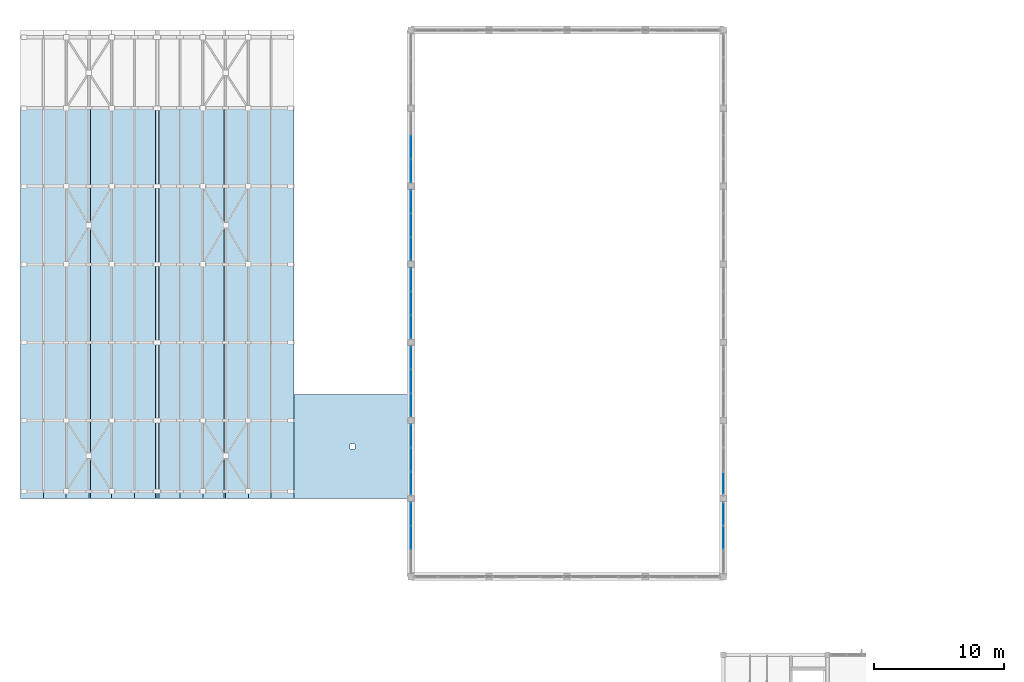
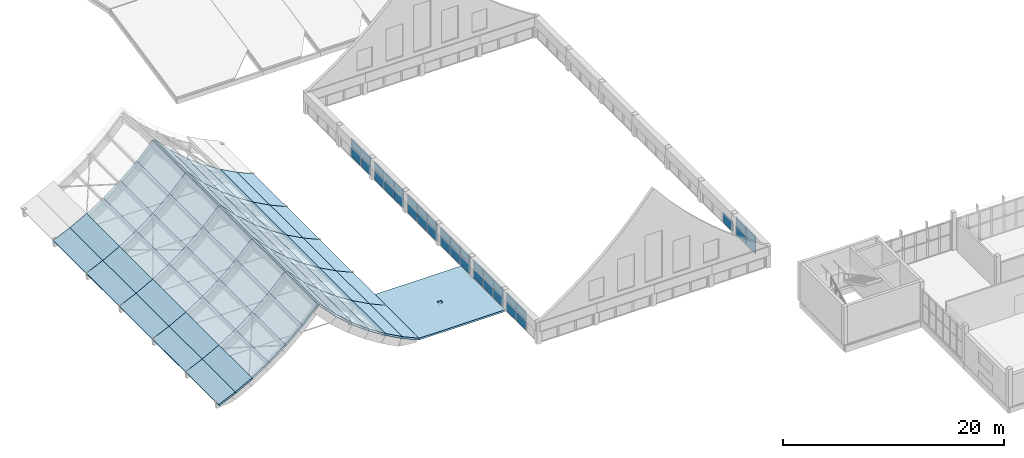
# One storey, part 25 of 45: 61 slabs, 37 plates, 8 elements without a shape of their own.
"""IFC4 building model written with IfcOpenShell, lengths in metres."""

import ifcopenshell
import ifcopenshell.guid

model = None  # the IFC model being written
_history = None  # IfcOwnerHistory: only IFC2X3 demands one
_inside = {}  # id of a spatial element -> (the spatial element, [elements in it])
_under = {}  # id of a project, library or spatial element -> (it, [spatial elements below it])
_declared = {}  # id of a project -> (the project, [libraries it declares])
_typed = {}  # id of a type object -> (the type object, [elements of that type])
_made_of = {}  # id of a material, layer set ... -> (it, [elements and type objects made of it])


def new_model(schema):
    """Start an empty IFC model of exactly this schema.

    Asked for "IFC4X3", IfcOpenShell would pick the latest addendum, in which some entities
    have other attributes; the version numbers below select the first issue.
    IFC2X3 requires an IfcOwnerHistory on every rooted entity: one is made here for all.
    """
    global model, _history
    if schema == "IFC4X3":
        model = ifcopenshell.file(schema_version=(4, 3, 0, 0))
    else:
        model = ifcopenshell.file(schema=schema)
    _inside.clear()
    _under.clear()
    _declared.clear()
    _typed.clear()
    _made_of.clear()
    _history = None
    if model.schema == "IFC2X3":
        org = make("IfcOrganization", Name="unknown")
        user = make(
            "IfcPersonAndOrganization",
            ThePerson=make("IfcPerson", FamilyName="unknown"),
            TheOrganization=org,
        )
        app = make(
            "IfcApplication",
            ApplicationDeveloper=org,
            Version="unknown",
            ApplicationFullName="unknown",
            ApplicationIdentifier="unknown",
        )
        _history = make(
            "IfcOwnerHistory",
            OwningUser=user,
            OwningApplication=app,
            ChangeAction="ADDED",
            CreationDate=0,
        )
    return model


def make(cls, **values):
    """One entity of the class cls with the attributes given. An attribute that is None is left unset."""
    return model.create_entity(
        cls, **{name: value for name, value in values.items() if value is not None}
    )


def rooted(cls, **values):
    """An entity with a GlobalId (a new one), such as an element, a storey or a relation."""
    return make(cls, GlobalId=ifcopenshell.guid.new(), OwnerHistory=_history, **values)


def si_unit(unit_type, name, prefix=None):
    """IfcSIUnit, for example si_unit("LENGTHUNIT", "METRE", prefix="MILLI")."""
    return make("IfcSIUnit", UnitType=unit_type, Prefix=prefix, Name=name)


def assignment(units):
    """IfcUnitAssignment: the units of a project."""
    return None if units is None else make("IfcUnitAssignment", Units=units)


def point(xyz):
    """IfcCartesianPoint."""
    return None if xyz is None else make("IfcCartesianPoint", Coordinates=xyz)


def direction(xyz):
    """IfcDirection."""
    return None if xyz is None else make("IfcDirection", DirectionRatios=xyz)


def frame(location, z_axis=None, x_axis=None):
    """IfcAxis2Placement3D, a coordinate frame: its origin and axes. An axis left out is left unset."""
    return make(
        "IfcAxis2Placement3D",
        Location=point(location),
        Axis=direction(z_axis),
        RefDirection=direction(x_axis),
    )


def frame_2d(location, x_axis=None):
    """IfcAxis2Placement2D, a coordinate frame in the plane: its origin and x axis."""
    return make(
        "IfcAxis2Placement2D", Location=point(location), RefDirection=direction(x_axis)
    )


def origin():
    """The frame at (0, 0, 0) with its axes left unset."""
    return frame((0.0, 0.0, 0.0))


def origin_2d():
    """The frame at (0, 0) in the plane with its x axis left unset."""
    return frame_2d((0.0, 0.0))


def place(relative_to, where):
    """IfcLocalPlacement: puts the frame where relative to a parent placement (None: the world)."""
    return make(
        "IfcLocalPlacement", PlacementRelTo=relative_to, RelativePlacement=where
    )


def context(
    kind, dimensions, precision=None, world=None, true_north=None, identifier=None
):
    """IfcGeometricRepresentationContext, for example the 3D "Model" context."""
    return make(
        "IfcGeometricRepresentationContext",
        ContextIdentifier=identifier,
        ContextType=kind,
        CoordinateSpaceDimension=dimensions,
        Precision=precision,
        WorldCoordinateSystem=world,
        TrueNorth=true_north,
    )


def subcontext(parent, identifier, kind, view, scale=None):
    """IfcGeometricRepresentationSubContext, for example "Body" below "Model"."""
    return make(
        "IfcGeometricRepresentationSubContext",
        ContextIdentifier=identifier,
        ContextType=kind,
        ParentContext=parent,
        TargetScale=scale,
        TargetView=view,
    )


def project(units=None, contexts=None):
    """IfcProject with its units and contexts."""
    return rooted(
        "IfcProject",
        Name="project",
        RepresentationContexts=contexts,
        UnitsInContext=assignment(units),
    )


def spatial(cls, under=None, at=None, **own):
    """A site, building, storey or space (cls), placed at a placement, below another one or the project."""
    s = rooted(cls, ObjectPlacement=at, **own)
    if under is not None:
        _under.setdefault(under.id(), (under, []))[1].append(s)
    return s


def polyline(points):
    """IfcPolyline through the points."""
    return make("IfcPolyline", Points=[point(p) for p in points])


def profile(cls, at=None, kind="AREA", **sizes):
    """A parametric profile (cls). Its sizes go by their IFC names, for example OverallWidth=200.0."""
    return make(cls, ProfileType=kind, Position=at, **sizes)


def rectangle(**sizes):
    """IfcRectangleProfileDef."""
    return profile("IfcRectangleProfileDef", **sizes)


def outline(outer, holes=None, kind="AREA"):
    """IfcArbitraryClosedProfileDef: a profile drawn as a closed curve; with holes, ...WithVoids."""
    if holes is None:
        return make("IfcArbitraryClosedProfileDef", ProfileType=kind, OuterCurve=outer)
    return make(
        "IfcArbitraryProfileDefWithVoids",
        ProfileType=kind,
        OuterCurve=outer,
        InnerCurves=holes,
    )


def extrude(swept, where, along, depth):
    """IfcExtrudedAreaSolid: the profile swept, set in the frame where, extruded along a direction by depth."""
    return make(
        "IfcExtrudedAreaSolid",
        SweptArea=swept,
        Position=where,
        ExtrudedDirection=direction(along),
        Depth=depth,
    )


def shape(context_of_items, identifier, shape_type, items):
    """IfcShapeRepresentation: the items that make up one representation, for example the "Body"."""
    return make(
        "IfcShapeRepresentation",
        ContextOfItems=context_of_items,
        RepresentationIdentifier=identifier,
        RepresentationType=shape_type,
        Items=items,
    )


def material(Name=None, Category=None):
    """IfcMaterial."""
    return make("IfcMaterial", Name=Name, Category=Category)


def layer(
    of_material, thickness, ventilated=None, Name=None, Category=None, Priority=None
):
    """IfcMaterialLayer: one layer of a wall or slab, of a material (None: an air gap)."""
    return make(
        "IfcMaterialLayer",
        Material=of_material,
        LayerThickness=thickness,
        IsVentilated=ventilated,
        Name=Name,
        Category=Category,
        Priority=Priority,
    )


def layer_set(layers, Name=None):
    """IfcMaterialLayerSet."""
    return make("IfcMaterialLayerSet", MaterialLayers=layers, LayerSetName=Name)


def made_of(thing, what):
    """Note that an element or type object is made of a material, layer set ...; save() writes the relation."""
    if what is not None:
        _made_of.setdefault(what.id(), (what, []))[1].append(thing)
    return thing


def type_object(cls, material=None, **own):
    """A type object (cls), such as IfcWallType, which elements share."""
    return made_of(rooted(cls, **own), material)


def element(
    cls,
    number,
    at=None,
    inside=None,
    cuts=None,
    type_object=None,
    material=None,
    context=None,
    identifier="Body",
    shape_type=None,
    held_by="IfcProductDefinitionShape",
    body=None,
    shapes=None,
    **own,
):
    """One element of the class cls, such as IfcWall. Its Tag is "e" and its number.

    at: its placement. inside: the storey or other place that contains it. cuts: it is an
    opening in that element (IfcRelVoidsElement). A single representation is given by context,
    identifier, shape_type and body (its items); several are given by shapes. held_by: the class
    of the entity that holds the representations. save() writes the other relations.
    """
    e = rooted(cls, Tag="e%d" % number, ObjectPlacement=at, **own)
    if body is not None:
        shapes = [shape(context, identifier, shape_type, body)]
    if shapes is not None:
        e.Representation = make(held_by, Representations=shapes)
    if inside is not None:
        _inside.setdefault(inside.id(), (inside, []))[1].append(e)
    if cuts is not None:
        rooted(
            "IfcRelVoidsElement", RelatingBuildingElement=cuts, RelatedOpeningElement=e
        )
    if type_object is not None:
        _typed.setdefault(type_object.id(), (type_object, []))[1].append(e)
    return made_of(e, material)


def aggregate(whole, parts):
    """IfcRelAggregates: a whole, such as a stair, and the parts it consists of."""
    return rooted("IfcRelAggregates", RelatingObject=whole, RelatedObjects=parts)


def save(model, path):
    """Write the relations noted so far, then the file.

    IfcRelAggregates (storeys below a building ...), IfcRelContainedInSpatialStructure (elements
    in a storey), IfcRelDefinesByType, IfcRelAssociatesMaterial and IfcRelDeclares: one each for
    every whole, place, type object, material and project.
    """
    for whole, parts in _under.values():
        aggregate(whole, parts)
    for where, things in _inside.values():
        rooted(
            "IfcRelContainedInSpatialStructure",
            RelatedElements=things,
            RelatingStructure=where,
        )
    for kind, things in _typed.values():
        rooted("IfcRelDefinesByType", RelatedObjects=things, RelatingType=kind)
    for what, things in _made_of.values():
        rooted("IfcRelAssociatesMaterial", RelatedObjects=things, RelatingMaterial=what)
    for by, libraries in _declared.values():
        rooted("IfcRelDeclares", RelatingContext=by, RelatedDefinitions=libraries)
    model.write(path)


model = new_model("IFC4")

# Units and contexts
model_context = context("Model", 3, precision=1e-05, world=origin(), true_north=direction((0.0, 1.0)))
body_context = subcontext(model_context, "Body", "Model", "MODEL_VIEW")
ifc_project = project(units=[si_unit("LENGTHUNIT", "METRE"), si_unit("AREAUNIT", "SQUARE_METRE"), si_unit("VOLUMEUNIT", "CUBIC_METRE"), si_unit("PLANEANGLEUNIT", "RADIAN"), si_unit("MASSUNIT", "GRAM", prefix="KILO")], contexts=[model_context])

# Site, building, storey
site_placement = place(None, origin())
site = spatial("IfcSite", under=ifc_project, at=site_placement, CompositionType="ELEMENT")
building_placement = place(site_placement, origin())
building = spatial("IfcBuilding", under=site, at=building_placement, Name="Solvane Community Centre", CompositionType="ELEMENT")
storey_placement = place(building_placement, frame((0.0, 0.0, 13.800048828125)))
storey = spatial("IfcBuildingStorey", under=building, at=storey_placement, Name="L03", CompositionType="ELEMENT", Elevation=13.800048828125)

# Slab
ifc_material_1 = material(Name="Concrete C35/45", Category="concrete")
ifc_layer_1 = layer(ifc_material_1, 0.219970703125)
ifc_layer_set_1 = layer_set([ifc_layer_1], Name="Concrete C35/45")
slab_type_1 = type_object("IfcSlabType", Name="RC Core Shaft Roof Cap 220mm", PredefinedType="ROOF", material=ifc_layer_set_1)
slab_placement = place(storey_placement, frame((0.0, 0.0, -0.199951171875)))
element("IfcSlab", 1, at=slab_placement, inside=storey, type_object=slab_type_1, Name="Core Roof Cap C5", PredefinedType="ROOF", context=body_context, shape_type="SweptSolid", body=[
    extrude(outline(polyline([(27.0, 42.0), (36.0, 42.0), (36.0, 50.0), (27.0, 50.0), (27.0, 42.0)]), holes=[polyline([(31.300048828125, 45.800048828125), (31.699951171875, 45.800048828125), (31.699951171875, 46.199951171875), (31.300048828125, 46.199951171875), (31.300048828125, 45.800048828125)])]), origin(), (0.0, 0.0, 1.0), 0.199951171875),
])

# Curtain wall, plates
ifc_material_2 = material(Name="Anodised bronze aluminium AW-6063 T6", Category="aluminium")
ifc_layer_2 = layer(ifc_material_2, 0.179931640625)
ifc_layer_set_2 = layer_set([ifc_layer_2], Name="Anodised bronze aluminium AW-6063 T6")
curtain_wall_type = type_object("IfcCurtainWallType", Name="Hall Translucent Upper Curtain Wall [55x22dm]", PredefinedType="NOTDEFINED", material=ifc_layer_set_2)
curtain_wall_1_placement = place(storey_placement, origin())
curtain_wall_1 = element("IfcCurtainWall", 2, at=curtain_wall_1_placement, inside=storey, type_object=curtain_wall_type, Name="Curtain Wall CW-L03-360_717-130", PredefinedType="NOTDEFINED")
ifc_material_3 = material(Name="Translucent polycarbonate panel")
ifc_layer_3 = layer(ifc_material_3, 0.028076171875)
ifc_layer_set_3 = layer_set([ifc_layer_3], Name="Translucent polycarbonate panel")
plate_type = type_object("IfcPlateType", Name="Translucent Polycarbonate Panel 28mm [55x22dm]", PredefinedType="CURTAIN_PANEL", material=ifc_layer_set_3)
plate_1_placement = place(storey_placement, frame((36.0, 69.0, 0.06005859375), z_axis=(0.0, 0.0, 1.0), x_axis=(0.0, -1.0, 0.0)))
plate_1 = element("IfcPlate", 3, at=plate_1_placement, type_object=plate_type, Name="CW01-55x22 panel 2.1", PredefinedType="CURTAIN_PANEL", context=body_context, shape_type="SweptSolid", body=[
    extrude(rectangle(XDim=1.77001953125, YDim=0.028076171875, at=origin_2d()), origin(), (0.0, 0.0, 1.0), 1.10888671875),
])
plate_2_placement = place(storey_placement, frame((36.0, 69.0, 1.22900390625), z_axis=(0.0, 0.0, 1.0), x_axis=(0.0, -1.0, 0.0)))
plate_2 = element("IfcPlate", 4, at=plate_2_placement, type_object=plate_type, Name="CW01-55x22 panel 2.2", PredefinedType="CURTAIN_PANEL", context=body_context, shape_type="SweptSolid", body=[
    extrude(rectangle(XDim=1.77001953125, YDim=0.028076171875, at=origin_2d()), origin(), (0.0, 0.0, 1.0), 0.89111328125),
])
plate_3_placement = place(storey_placement, frame((36.0, 67.18505859375, 0.06005859375), z_axis=(0.0, 0.0, 1.0), x_axis=(0.0, -1.0, 0.0)))
plate_3 = element("IfcPlate", 5, at=plate_3_placement, type_object=plate_type, Name="CW01-55x22 panel 3.1", PredefinedType="CURTAIN_PANEL", context=body_context, shape_type="SweptSolid", body=[
    extrude(rectangle(XDim=1.739990234375, YDim=0.028076171875, at=origin_2d()), origin(), (0.0, 0.0, 1.0), 1.10888671875),
])
plate_4_placement = place(storey_placement, frame((36.0, 67.18505859375, 1.22900390625), z_axis=(0.0, 0.0, 1.0), x_axis=(0.0, -1.0, 0.0)))
plate_4 = element("IfcPlate", 6, at=plate_4_placement, type_object=plate_type, Name="CW01-55x22 panel 3.2", PredefinedType="CURTAIN_PANEL", context=body_context, shape_type="SweptSolid", body=[
    extrude(rectangle(XDim=1.739990234375, YDim=0.028076171875, at=origin_2d()), origin(), (0.0, 0.0, 1.0), 0.89111328125),
])
aggregate(curtain_wall_1, [plate_1, plate_2, plate_3, plate_4])

curtain_wall_2_placement = place(storey_placement, origin())
curtain_wall_2 = element("IfcCurtainWall", 7, at=curtain_wall_2_placement, inside=storey, type_object=curtain_wall_type, Name="Curtain Wall CW-L03-360_657-131", PredefinedType="NOTDEFINED")
plate_5_placement = place(storey_placement, frame((36.0, 64.81494140625, 0.06005859375), z_axis=(0.0, 0.0, 1.0), x_axis=(0.0, -1.0, 0.0)))
plate_5 = element("IfcPlate", 8, at=plate_5_placement, type_object=plate_type, Name="CW01-55x22 panel 1.1", PredefinedType="CURTAIN_PANEL", context=body_context, shape_type="SweptSolid", body=[
    extrude(rectangle(XDim=1.739990234375, YDim=0.028076171875, at=origin_2d()), origin(), (0.0, 0.0, 1.0), 1.10888671875),
])
plate_6_placement = place(storey_placement, frame((36.0, 64.81494140625, 1.22900390625), z_axis=(0.0, 0.0, 1.0), x_axis=(0.0, -1.0, 0.0)))
plate_6 = element("IfcPlate", 9, at=plate_6_placement, type_object=plate_type, Name="CW01-55x22 panel 1.2", PredefinedType="CURTAIN_PANEL", context=body_context, shape_type="SweptSolid", body=[
    extrude(rectangle(XDim=1.739990234375, YDim=0.028076171875, at=origin_2d()), origin(), (0.0, 0.0, 1.0), 0.89111328125),
])
plate_7_placement = place(storey_placement, frame((36.0, 63.0, 0.06005859375), z_axis=(0.0, 0.0, 1.0), x_axis=(0.0, -1.0, 0.0)))
plate_7 = element("IfcPlate", 10, at=plate_7_placement, type_object=plate_type, Name="CW01-55x22 panel 2.1", PredefinedType="CURTAIN_PANEL", context=body_context, shape_type="SweptSolid", body=[
    extrude(rectangle(XDim=1.77001953125, YDim=0.028076171875, at=origin_2d()), origin(), (0.0, 0.0, 1.0), 1.10888671875),
])
plate_8_placement = place(storey_placement, frame((36.0, 63.0, 1.22900390625), z_axis=(0.0, 0.0, 1.0), x_axis=(0.0, -1.0, 0.0)))
plate_8 = element("IfcPlate", 11, at=plate_8_placement, type_object=plate_type, Name="CW01-55x22 panel 2.2", PredefinedType="CURTAIN_PANEL", context=body_context, shape_type="SweptSolid", body=[
    extrude(rectangle(XDim=1.77001953125, YDim=0.028076171875, at=origin_2d()), origin(), (0.0, 0.0, 1.0), 0.89111328125),
])
plate_9_placement = place(storey_placement, frame((36.0, 61.18505859375, 0.06005859375), z_axis=(0.0, 0.0, 1.0), x_axis=(0.0, -1.0, 0.0)))
plate_9 = element("IfcPlate", 12, at=plate_9_placement, type_object=plate_type, Name="CW01-55x22 panel 3.1", PredefinedType="CURTAIN_PANEL", context=body_context, shape_type="SweptSolid", body=[
    extrude(rectangle(XDim=1.739990234375, YDim=0.028076171875, at=origin_2d()), origin(), (0.0, 0.0, 1.0), 1.10888671875),
])
plate_10_placement = place(storey_placement, frame((36.0, 61.18505859375, 1.22900390625), z_axis=(0.0, 0.0, 1.0), x_axis=(0.0, -1.0, 0.0)))
plate_10 = element("IfcPlate", 13, at=plate_10_placement, type_object=plate_type, Name="CW01-55x22 panel 3.2", PredefinedType="CURTAIN_PANEL", context=body_context, shape_type="SweptSolid", body=[
    extrude(rectangle(XDim=1.739990234375, YDim=0.028076171875, at=origin_2d()), origin(), (0.0, 0.0, 1.0), 0.89111328125),
])
aggregate(curtain_wall_2, [plate_5, plate_6, plate_7, plate_8, plate_9, plate_10])

curtain_wall_3_placement = place(storey_placement, origin())
curtain_wall_3 = element("IfcCurtainWall", 14, at=curtain_wall_3_placement, inside=storey, type_object=curtain_wall_type, Name="Curtain Wall CW-L03-360_597-132", PredefinedType="NOTDEFINED")
plate_11_placement = place(storey_placement, frame((36.0, 58.81494140625, 0.06005859375), z_axis=(0.0, 0.0, 1.0), x_axis=(0.0, -1.0, 0.0)))
plate_11 = element("IfcPlate", 15, at=plate_11_placement, type_object=plate_type, Name="CW01-55x22 panel 1.1", PredefinedType="CURTAIN_PANEL", context=body_context, shape_type="SweptSolid", body=[
    extrude(rectangle(XDim=1.739990234375, YDim=0.028076171875, at=origin_2d()), origin(), (0.0, 0.0, 1.0), 1.10888671875),
])
plate_12_placement = place(storey_placement, frame((36.0, 58.81494140625, 1.22900390625), z_axis=(0.0, 0.0, 1.0), x_axis=(0.0, -1.0, 0.0)))
plate_12 = element("IfcPlate", 16, at=plate_12_placement, type_object=plate_type, Name="CW01-55x22 panel 1.2", PredefinedType="CURTAIN_PANEL", context=body_context, shape_type="SweptSolid", body=[
    extrude(rectangle(XDim=1.739990234375, YDim=0.028076171875, at=origin_2d()), origin(), (0.0, 0.0, 1.0), 0.89111328125),
])
plate_13_placement = place(storey_placement, frame((36.0, 57.0, 0.06005859375), z_axis=(0.0, 0.0, 1.0), x_axis=(0.0, -1.0, 0.0)))
plate_13 = element("IfcPlate", 17, at=plate_13_placement, type_object=plate_type, Name="CW01-55x22 panel 2.1", PredefinedType="CURTAIN_PANEL", context=body_context, shape_type="SweptSolid", body=[
    extrude(rectangle(XDim=1.77001953125, YDim=0.028076171875, at=origin_2d()), origin(), (0.0, 0.0, 1.0), 1.10888671875),
])
plate_14_placement = place(storey_placement, frame((36.0, 57.0, 1.22900390625), z_axis=(0.0, 0.0, 1.0), x_axis=(0.0, -1.0, 0.0)))
plate_14 = element("IfcPlate", 18, at=plate_14_placement, type_object=plate_type, Name="CW01-55x22 panel 2.2", PredefinedType="CURTAIN_PANEL", context=body_context, shape_type="SweptSolid", body=[
    extrude(rectangle(XDim=1.77001953125, YDim=0.028076171875, at=origin_2d()), origin(), (0.0, 0.0, 1.0), 0.89111328125),
])
plate_15_placement = place(storey_placement, frame((36.0, 55.18505859375, 0.06005859375), z_axis=(0.0, 0.0, 1.0), x_axis=(0.0, -1.0, 0.0)))
plate_15 = element("IfcPlate", 19, at=plate_15_placement, type_object=plate_type, Name="CW01-55x22 panel 3.1", PredefinedType="CURTAIN_PANEL", context=body_context, shape_type="SweptSolid", body=[
    extrude(rectangle(XDim=1.739990234375, YDim=0.028076171875, at=origin_2d()), origin(), (0.0, 0.0, 1.0), 1.10888671875),
])
plate_16_placement = place(storey_placement, frame((36.0, 55.18505859375, 1.22900390625), z_axis=(0.0, 0.0, 1.0), x_axis=(0.0, -1.0, 0.0)))
plate_16 = element("IfcPlate", 20, at=plate_16_placement, type_object=plate_type, Name="CW01-55x22 panel 3.2", PredefinedType="CURTAIN_PANEL", context=body_context, shape_type="SweptSolid", body=[
    extrude(rectangle(XDim=1.739990234375, YDim=0.028076171875, at=origin_2d()), origin(), (0.0, 0.0, 1.0), 0.89111328125),
])
aggregate(curtain_wall_3, [plate_11, plate_12, plate_13, plate_14, plate_15, plate_16])

curtain_wall_4_placement = place(storey_placement, origin())
curtain_wall_4 = element("IfcCurtainWall", 21, at=curtain_wall_4_placement, inside=storey, type_object=curtain_wall_type, Name="Curtain Wall CW-L03-360_537-133", PredefinedType="NOTDEFINED")
plate_17_placement = place(storey_placement, frame((36.0, 52.81494140625, 0.06005859375), z_axis=(0.0, 0.0, 1.0), x_axis=(0.0, -1.0, 0.0)))
plate_17 = element("IfcPlate", 22, at=plate_17_placement, type_object=plate_type, Name="CW01-55x22 panel 1.1", PredefinedType="CURTAIN_PANEL", context=body_context, shape_type="SweptSolid", body=[
    extrude(rectangle(XDim=1.739990234375, YDim=0.028076171875, at=origin_2d()), origin(), (0.0, 0.0, 1.0), 1.10888671875),
])
plate_18_placement = place(storey_placement, frame((36.0, 52.81494140625, 1.22900390625), z_axis=(0.0, 0.0, 1.0), x_axis=(0.0, -1.0, 0.0)))
plate_18 = element("IfcPlate", 23, at=plate_18_placement, type_object=plate_type, Name="CW01-55x22 panel 1.2", PredefinedType="CURTAIN_PANEL", context=body_context, shape_type="SweptSolid", body=[
    extrude(rectangle(XDim=1.739990234375, YDim=0.028076171875, at=origin_2d()), origin(), (0.0, 0.0, 1.0), 0.89111328125),
])
plate_19_placement = place(storey_placement, frame((36.0, 51.0, 0.06005859375), z_axis=(0.0, 0.0, 1.0), x_axis=(0.0, -1.0, 0.0)))
plate_19 = element("IfcPlate", 24, at=plate_19_placement, type_object=plate_type, Name="CW01-55x22 panel 2.1", PredefinedType="CURTAIN_PANEL", context=body_context, shape_type="SweptSolid", body=[
    extrude(rectangle(XDim=1.77001953125, YDim=0.028076171875, at=origin_2d()), origin(), (0.0, 0.0, 1.0), 1.10888671875),
])
plate_20_placement = place(storey_placement, frame((36.0, 51.0, 1.22900390625), z_axis=(0.0, 0.0, 1.0), x_axis=(0.0, -1.0, 0.0)))
plate_20 = element("IfcPlate", 25, at=plate_20_placement, type_object=plate_type, Name="CW01-55x22 panel 2.2", PredefinedType="CURTAIN_PANEL", context=body_context, shape_type="SweptSolid", body=[
    extrude(rectangle(XDim=1.77001953125, YDim=0.028076171875, at=origin_2d()), origin(), (0.0, 0.0, 1.0), 0.89111328125),
])
plate_21_placement = place(storey_placement, frame((36.0, 49.18505859375, 0.06005859375), z_axis=(0.0, 0.0, 1.0), x_axis=(0.0, -1.0, 0.0)))
plate_21 = element("IfcPlate", 26, at=plate_21_placement, type_object=plate_type, Name="CW01-55x22 panel 3.1", PredefinedType="CURTAIN_PANEL", context=body_context, shape_type="SweptSolid", body=[
    extrude(rectangle(XDim=1.739990234375, YDim=0.028076171875, at=origin_2d()), origin(), (0.0, 0.0, 1.0), 1.10888671875),
])
plate_22_placement = place(storey_placement, frame((36.0, 49.18505859375, 1.22900390625), z_axis=(0.0, 0.0, 1.0), x_axis=(0.0, -1.0, 0.0)))
plate_22 = element("IfcPlate", 27, at=plate_22_placement, type_object=plate_type, Name="CW01-55x22 panel 3.2", PredefinedType="CURTAIN_PANEL", context=body_context, shape_type="SweptSolid", body=[
    extrude(rectangle(XDim=1.739990234375, YDim=0.028076171875, at=origin_2d()), origin(), (0.0, 0.0, 1.0), 0.89111328125),
])
aggregate(curtain_wall_4, [plate_17, plate_18, plate_19, plate_20, plate_21, plate_22])

curtain_wall_5_placement = place(storey_placement, origin())
curtain_wall_5 = element("IfcCurtainWall", 28, at=curtain_wall_5_placement, inside=storey, type_object=curtain_wall_type, Name="Curtain Wall CW-L03-360_477-134", PredefinedType="NOTDEFINED")
plate_23_placement = place(storey_placement, frame((36.0, 46.81494140625, 0.06005859375), z_axis=(0.0, 0.0, 1.0), x_axis=(0.0, -1.0, 0.0)))
plate_23 = element("IfcPlate", 29, at=plate_23_placement, type_object=plate_type, Name="CW01-55x22 panel 1.1", PredefinedType="CURTAIN_PANEL", context=body_context, shape_type="SweptSolid", body=[
    extrude(rectangle(XDim=1.739990234375, YDim=0.028076171875, at=origin_2d()), origin(), (0.0, 0.0, 1.0), 1.10888671875),
])
plate_24_placement = place(storey_placement, frame((36.0, 46.81494140625, 1.22900390625), z_axis=(0.0, 0.0, 1.0), x_axis=(0.0, -1.0, 0.0)))
plate_24 = element("IfcPlate", 30, at=plate_24_placement, type_object=plate_type, Name="CW01-55x22 panel 1.2", PredefinedType="CURTAIN_PANEL", context=body_context, shape_type="SweptSolid", body=[
    extrude(rectangle(XDim=1.739990234375, YDim=0.028076171875, at=origin_2d()), origin(), (0.0, 0.0, 1.0), 0.89111328125),
])
plate_25_placement = place(storey_placement, frame((36.0, 45.0, 0.06005859375), z_axis=(0.0, 0.0, 1.0), x_axis=(0.0, -1.0, 0.0)))
plate_25 = element("IfcPlate", 31, at=plate_25_placement, type_object=plate_type, Name="CW01-55x22 panel 2.1", PredefinedType="CURTAIN_PANEL", context=body_context, shape_type="SweptSolid", body=[
    extrude(rectangle(XDim=1.77001953125, YDim=0.028076171875, at=origin_2d()), origin(), (0.0, 0.0, 1.0), 1.10888671875),
])
plate_26_placement = place(storey_placement, frame((36.0, 45.0, 1.22900390625), z_axis=(0.0, 0.0, 1.0), x_axis=(0.0, -1.0, 0.0)))
plate_26 = element("IfcPlate", 32, at=plate_26_placement, type_object=plate_type, Name="CW01-55x22 panel 2.2", PredefinedType="CURTAIN_PANEL", context=body_context, shape_type="SweptSolid", body=[
    extrude(rectangle(XDim=1.77001953125, YDim=0.028076171875, at=origin_2d()), origin(), (0.0, 0.0, 1.0), 0.89111328125),
])
plate_27_placement = place(storey_placement, frame((36.0, 43.18505859375, 0.06005859375), z_axis=(0.0, 0.0, 1.0), x_axis=(0.0, -1.0, 0.0)))
plate_27 = element("IfcPlate", 33, at=plate_27_placement, type_object=plate_type, Name="CW01-55x22 panel 3.1", PredefinedType="CURTAIN_PANEL", context=body_context, shape_type="SweptSolid", body=[
    extrude(rectangle(XDim=1.739990234375, YDim=0.028076171875, at=origin_2d()), origin(), (0.0, 0.0, 1.0), 1.10888671875),
])
plate_28_placement = place(storey_placement, frame((36.0, 43.18505859375, 1.22900390625), z_axis=(0.0, 0.0, 1.0), x_axis=(0.0, -1.0, 0.0)))
plate_28 = element("IfcPlate", 34, at=plate_28_placement, type_object=plate_type, Name="CW01-55x22 panel 3.2", PredefinedType="CURTAIN_PANEL", context=body_context, shape_type="SweptSolid", body=[
    extrude(rectangle(XDim=1.739990234375, YDim=0.028076171875, at=origin_2d()), origin(), (0.0, 0.0, 1.0), 0.89111328125),
])
aggregate(curtain_wall_5, [plate_23, plate_24, plate_25, plate_26, plate_27, plate_28])

curtain_wall_6_placement = place(storey_placement, origin())
curtain_wall_6 = element("IfcCurtainWall", 35, at=curtain_wall_6_placement, inside=storey, type_object=curtain_wall_type, Name="Curtain Wall CW-L03-360_417-135", PredefinedType="NOTDEFINED")
plate_29_placement = place(storey_placement, frame((36.0, 40.81494140625, 0.06005859375), z_axis=(0.0, 0.0, 1.0), x_axis=(0.0, -1.0, 0.0)))
plate_29 = element("IfcPlate", 36, at=plate_29_placement, type_object=plate_type, Name="CW01-55x22 panel 1.1", PredefinedType="CURTAIN_PANEL", context=body_context, shape_type="SweptSolid", body=[
    extrude(rectangle(XDim=1.739990234375, YDim=0.028076171875, at=origin_2d()), origin(), (0.0, 0.0, 1.0), 1.10888671875),
])
plate_30_placement = place(storey_placement, frame((36.0, 40.81494140625, 1.22900390625), z_axis=(0.0, 0.0, 1.0), x_axis=(0.0, -1.0, 0.0)))
plate_30 = element("IfcPlate", 37, at=plate_30_placement, type_object=plate_type, Name="CW01-55x22 panel 1.2", PredefinedType="CURTAIN_PANEL", context=body_context, shape_type="SweptSolid", body=[
    extrude(rectangle(XDim=1.739990234375, YDim=0.028076171875, at=origin_2d()), origin(), (0.0, 0.0, 1.0), 0.89111328125),
])
plate_31_placement = place(storey_placement, frame((36.0, 39.0, 0.06005859375), z_axis=(0.0, 0.0, 1.0), x_axis=(0.0, -1.0, 0.0)))
plate_31 = element("IfcPlate", 38, at=plate_31_placement, type_object=plate_type, Name="CW01-55x22 panel 2.1", PredefinedType="CURTAIN_PANEL", context=body_context, shape_type="SweptSolid", body=[
    extrude(rectangle(XDim=1.77001953125, YDim=0.028076171875, at=origin_2d()), origin(), (0.0, 0.0, 1.0), 1.10888671875),
])
plate_32_placement = place(storey_placement, frame((36.0, 39.0, 1.22900390625), z_axis=(0.0, 0.0, 1.0), x_axis=(0.0, -1.0, 0.0)))
plate_32 = element("IfcPlate", 39, at=plate_32_placement, type_object=plate_type, Name="CW01-55x22 panel 2.2", PredefinedType="CURTAIN_PANEL", context=body_context, shape_type="SweptSolid", body=[
    extrude(rectangle(XDim=1.77001953125, YDim=0.028076171875, at=origin_2d()), origin(), (0.0, 0.0, 1.0), 0.89111328125),
])
aggregate(curtain_wall_6, [plate_29, plate_30, plate_31, plate_32])

curtain_wall_7_placement = place(storey_placement, origin())
curtain_wall_7 = element("IfcCurtainWall", 40, at=curtain_wall_7_placement, inside=storey, type_object=curtain_wall_type, Name="Curtain Wall CW-L03-600_363-143", PredefinedType="NOTDEFINED")
plate_33_placement = place(storey_placement, frame((60.0, 39.0, 0.06005859375), z_axis=(0.0, 0.0, 1.0), x_axis=(0.0, 1.0, 0.0)))
plate_33 = element("IfcPlate", 41, at=plate_33_placement, type_object=plate_type, Name="CW01-55x22 panel 2.1", PredefinedType="CURTAIN_PANEL", context=body_context, shape_type="SweptSolid", body=[
    extrude(rectangle(XDim=1.77001953125, YDim=0.028076171875, at=origin_2d()), origin(), (0.0, 0.0, 1.0), 1.10888671875),
])
plate_34_placement = place(storey_placement, frame((60.0, 39.0, 1.22900390625), z_axis=(0.0, 0.0, 1.0), x_axis=(0.0, 1.0, 0.0)))
plate_34 = element("IfcPlate", 42, at=plate_34_placement, type_object=plate_type, Name="CW01-55x22 panel 2.2", PredefinedType="CURTAIN_PANEL", context=body_context, shape_type="SweptSolid", body=[
    extrude(rectangle(XDim=1.77001953125, YDim=0.028076171875, at=origin_2d()), origin(), (0.0, 0.0, 1.0), 0.89111328125),
])
plate_35_placement = place(storey_placement, frame((60.0, 40.81494140625, 0.06005859375), z_axis=(0.0, 0.0, 1.0), x_axis=(0.0, 1.0, 0.0)))
plate_35 = element("IfcPlate", 43, at=plate_35_placement, type_object=plate_type, Name="CW01-55x22 panel 3.1", PredefinedType="CURTAIN_PANEL", context=body_context, shape_type="SweptSolid", body=[
    extrude(rectangle(XDim=1.739990234375, YDim=0.028076171875, at=origin_2d()), origin(), (0.0, 0.0, 1.0), 1.10888671875),
])
plate_36_placement = place(storey_placement, frame((60.0, 40.81494140625, 1.22900390625), z_axis=(0.0, 0.0, 1.0), x_axis=(0.0, 1.0, 0.0)))
plate_36 = element("IfcPlate", 44, at=plate_36_placement, type_object=plate_type, Name="CW01-55x22 panel 3.2", PredefinedType="CURTAIN_PANEL", context=body_context, shape_type="SweptSolid", body=[
    extrude(rectangle(XDim=1.739990234375, YDim=0.028076171875, at=origin_2d()), origin(), (0.0, 0.0, 1.0), 0.89111328125),
])
aggregate(curtain_wall_7, [plate_33, plate_34, plate_35, plate_36])

# Curtain wall, plate
curtain_wall_8_placement = place(storey_placement, origin())
curtain_wall_8 = element("IfcCurtainWall", 45, at=curtain_wall_8_placement, inside=storey, type_object=curtain_wall_type, Name="Curtain Wall CW-L03-600_423-144", PredefinedType="NOTDEFINED")
plate_37_placement = place(storey_placement, frame((60.0, 43.18505859375, 0.06005859375), z_axis=(0.0, 0.0, 1.0), x_axis=(0.0, 1.0, 0.0)))
plate_37 = element("IfcPlate", 46, at=plate_37_placement, type_object=plate_type, Name="CW01-55x22 panel 1.1", PredefinedType="CURTAIN_PANEL", context=body_context, shape_type="SweptSolid", body=[
    extrude(rectangle(XDim=1.739990234375, YDim=0.028076171875, at=origin_2d()), origin(), (0.0, 0.0, 1.0), 1.10888671875),
])
aggregate(curtain_wall_8, [plate_37])

# Slabs
ifc_material_4 = material(Name="Cross-laminated timber C24", Category="wood")
ifc_layer_4 = layer(ifc_material_4, 0.199951171875)
ifc_layer_set_4 = layer_set([ifc_layer_4], Name="Cross-laminated timber C24")
slab_type_2 = type_object("IfcSlabType", Name="V2 Vault Roof Strip Slope 1 200mm", PredefinedType="ROOF", material=ifc_layer_set_4)
for number, where, z_axis, x_axis, name in (
    (47, (6.0, 42.0, 0.0), (-0.414415067456, 0.0, 0.910087991276), (0.910087991276, 0.0, 0.414415067456), "V2 Vault Roof Strip L1 Bay 1"),
    (48, (25.25, 42.0, 0.796875), (0.414415067456, 0.0, 0.910087991276), (0.910087991276, 0.0, -0.414415067456), "V2 Vault Roof Strip R6 Bay 1"),
    (49, (6.0, 48.0, 0.0), (-0.414415067456, 0.0, 0.910087991276), (0.910087991276, 0.0, 0.414415067456), "V2 Vault Roof Strip L1 Bay 2"),
    (50, (25.25, 48.0, 0.796875), (0.414415067456, 0.0, 0.910087991276), (0.910087991276, 0.0, -0.414415067456), "V2 Vault Roof Strip R6 Bay 2"),
    (51, (6.0, 54.0, 0.0), (-0.414415067456, 0.0, 0.910087991276), (0.910087991276, 0.0, 0.414415067456), "V2 Vault Roof Strip L1 Bay 3"),
    (52, (25.25, 54.0, 0.796875), (0.414415067456, 0.0, 0.910087991276), (0.910087991276, 0.0, -0.414415067456), "V2 Vault Roof Strip R6 Bay 3"),
    (53, (6.0, 60.0, 0.0), (-0.414415067456, 0.0, 0.910087991276), (0.910087991276, 0.0, 0.414415067456), "V2 Vault Roof Strip L1 Bay 4"),
    (54, (25.25, 60.0, 0.796875), (0.414415067456, 0.0, 0.910087991276), (0.910087991276, 0.0, -0.414415067456), "V2 Vault Roof Strip R6 Bay 4"),
    (55, (6.0, 66.0, 0.0), (-0.414415067456, 0.0, 0.910087991276), (0.910087991276, 0.0, 0.414415067456), "V2 Vault Roof Strip L1 Bay 5"),
    (56, (25.25, 66.0, 0.796875), (0.414415067456, 0.0, 0.910087991276), (0.910087991276, 0.0, -0.414415067456), "V2 Vault Roof Strip R6 Bay 5"),
):
    element("IfcSlab", number, at=place(storey_placement, frame(where, z_axis=z_axis, x_axis=x_axis)), inside=storey, type_object=slab_type_2, Name=name, PredefinedType="ROOF", context=body_context, shape_type="SweptSolid", body=[
        extrude(outline(polyline([(0.0, 0.0), (1.9228909916126293, 0.0), (1.9228909916126293, 6.0), (0.0, 6.0), (0.0, 0.0)])), origin(), (0.0, 0.0, -1.0), 0.199951171875),
    ])
ifc_layer_5 = layer(ifc_material_4, 0.199951171875)
ifc_layer_set_5 = layer_set([ifc_layer_5], Name="Cross-laminated timber C24")
slab_type_3 = type_object("IfcSlabType", Name="V2 Vault Roof Strip Slope 2 200mm", PredefinedType="ROOF", material=ifc_layer_set_5)
for number, where, z_axis, x_axis, name in (
    (57, (7.75, 42.0, 0.796875), (-0.476978210577, 0.0, 0.87891511913), (0.87891511913, 0.0, 0.476978210577), "V2 Vault Roof Strip L2 Bay 1"),
    (58, (23.5, 42.0, 1.74658203125), (0.476978210577, 0.0, 0.87891511913), (0.87891511913, 0.0, -0.476978210577), "V2 Vault Roof Strip R5 Bay 1"),
    (59, (7.75, 48.0, 0.796875), (-0.476978210577, 0.0, 0.87891511913), (0.87891511913, 0.0, 0.476978210577), "V2 Vault Roof Strip L2 Bay 2"),
    (60, (23.5, 48.0, 1.74658203125), (0.476978210577, 0.0, 0.87891511913), (0.87891511913, 0.0, -0.476978210577), "V2 Vault Roof Strip R5 Bay 2"),
    (61, (7.75, 54.0, 0.796875), (-0.476978210577, 0.0, 0.87891511913), (0.87891511913, 0.0, 0.476978210577), "V2 Vault Roof Strip L2 Bay 3"),
    (62, (23.5, 54.0, 1.74658203125), (0.476978210577, 0.0, 0.87891511913), (0.87891511913, 0.0, -0.476978210577), "V2 Vault Roof Strip R5 Bay 3"),
    (63, (7.75, 60.0, 0.796875), (-0.476978210577, 0.0, 0.87891511913), (0.87891511913, 0.0, 0.476978210577), "V2 Vault Roof Strip L2 Bay 4"),
    (64, (23.5, 60.0, 1.74658203125), (0.476978210577, 0.0, 0.87891511913), (0.87891511913, 0.0, -0.476978210577), "V2 Vault Roof Strip R5 Bay 4"),
    (65, (7.75, 66.0, 0.796875), (-0.476978210577, 0.0, 0.87891511913), (0.87891511913, 0.0, 0.476978210577), "V2 Vault Roof Strip L2 Bay 5"),
    (66, (23.5, 66.0, 1.74658203125), (0.476978210577, 0.0, 0.87891511913), (0.87891511913, 0.0, -0.476978210577), "V2 Vault Roof Strip R5 Bay 5"),
):
    element("IfcSlab", number, at=place(storey_placement, frame(where, z_axis=z_axis, x_axis=x_axis)), inside=storey, type_object=slab_type_3, Name=name, PredefinedType="ROOF", context=body_context, shape_type="SweptSolid", body=[
        extrude(outline(polyline([(0.0, 0.0), (1.9910910188149833, 0.0), (1.9910910188149833, 6.0), (0.0, 6.0), (0.0, 0.0)])), origin(), (0.0, 0.0, -1.0), 0.199951171875),
    ])
ifc_layer_6 = layer(ifc_material_4, 0.199951171875)
ifc_layer_set_6 = layer_set([ifc_layer_6], Name="Cross-laminated timber C24")
slab_type_4 = type_object("IfcSlabType", Name="V2 Vault Roof Strip Slope 3 200mm", PredefinedType="ROOF", material=ifc_layer_set_6)
for number, where, z_axis, x_axis, name in (
    (67, (9.5, 42.0, 1.74658203125), (-0.539510271905, 0.0, 0.841979017856), (0.841979017856, 0.0, 0.539510271905), "V2 Vault Roof Strip L3 Bay 1"),
    (68, (21.75, 42.0, 2.867919921875), (0.539510271905, 0.0, 0.841979017856), (0.841979017856, 0.0, -0.539510271905), "V2 Vault Roof Strip R4 Bay 1"),
    (69, (9.5, 48.0, 1.74658203125), (-0.539510271905, 0.0, 0.841979017856), (0.841979017856, 0.0, 0.539510271905), "V2 Vault Roof Strip L3 Bay 2"),
    (70, (21.75, 48.0, 2.867919921875), (0.539510271905, 0.0, 0.841979017856), (0.841979017856, 0.0, -0.539510271905), "V2 Vault Roof Strip R4 Bay 2"),
    (71, (9.5, 54.0, 1.74658203125), (-0.539510271905, 0.0, 0.841979017856), (0.841979017856, 0.0, 0.539510271905), "V2 Vault Roof Strip L3 Bay 3"),
    (72, (21.75, 54.0, 2.867919921875), (0.539510271905, 0.0, 0.841979017856), (0.841979017856, 0.0, -0.539510271905), "V2 Vault Roof Strip R4 Bay 3"),
    (73, (9.5, 60.0, 1.74658203125), (-0.539510271905, 0.0, 0.841979017856), (0.841979017856, 0.0, 0.539510271905), "V2 Vault Roof Strip L3 Bay 4"),
    (74, (21.75, 60.0, 2.867919921875), (0.539510271905, 0.0, 0.841979017856), (0.841979017856, 0.0, -0.539510271905), "V2 Vault Roof Strip R4 Bay 4"),
    (75, (9.5, 66.0, 1.74658203125), (-0.539510271905, 0.0, 0.841979017856), (0.841979017856, 0.0, 0.539510271905), "V2 Vault Roof Strip L3 Bay 5"),
    (76, (21.75, 66.0, 2.867919921875), (0.539510271905, 0.0, 0.841979017856), (0.841979017856, 0.0, -0.539510271905), "V2 Vault Roof Strip R4 Bay 5"),
):
    element("IfcSlab", number, at=place(storey_placement, frame(where, z_axis=z_axis, x_axis=x_axis)), inside=storey, type_object=slab_type_4, Name=name, PredefinedType="ROOF", context=body_context, shape_type="SweptSolid", body=[
        extrude(outline(polyline([(0.0, 0.0), (2.0784365915156817, 0.0), (2.0784365915156817, 6.0), (0.0, 6.0), (0.0, 0.0)])), origin(), (0.0, 0.0, -1.0), 0.199951171875),
    ])
ifc_layer_7 = layer(ifc_material_4, 0.199951171875)
ifc_layer_set_7 = layer_set([ifc_layer_7], Name="Cross-laminated timber C24")
slab_type_5 = type_object("IfcSlabType", Name="V2 Vault Roof Strip Slope 4 200mm", PredefinedType="ROOF", material=ifc_layer_set_7)
for number, where, z_axis, x_axis, name in (
    (77, (11.25, 42.0, 2.867919921875), (-0.602136409496, 0.0, 0.798393226649), (0.798393226649, 0.0, 0.602136409496), "V2 Vault Roof Strip L4 Bay 1"),
    (78, (20.0, 42.0, 4.187744140625), (0.602136409496, 0.0, 0.798393226649), (0.798393226649, 0.0, -0.602136409496), "V2 Vault Roof Strip R3 Bay 1"),
    (79, (11.25, 48.0, 2.867919921875), (-0.602136409496, 0.0, 0.798393226649), (0.798393226649, 0.0, 0.602136409496), "V2 Vault Roof Strip L4 Bay 2"),
    (80, (20.0, 48.0, 4.187744140625), (0.602136409496, 0.0, 0.798393226649), (0.798393226649, 0.0, -0.602136409496), "V2 Vault Roof Strip R3 Bay 2"),
    (81, (11.25, 54.0, 2.867919921875), (-0.602136409496, 0.0, 0.798393226649), (0.798393226649, 0.0, 0.602136409496), "V2 Vault Roof Strip L4 Bay 3"),
    (82, (20.0, 54.0, 4.187744140625), (0.602136409496, 0.0, 0.798393226649), (0.798393226649, 0.0, -0.602136409496), "V2 Vault Roof Strip R3 Bay 3"),
    (83, (11.25, 60.0, 2.867919921875), (-0.602136409496, 0.0, 0.798393226649), (0.798393226649, 0.0, 0.602136409496), "V2 Vault Roof Strip L4 Bay 4"),
    (84, (20.0, 60.0, 4.187744140625), (0.602136409496, 0.0, 0.798393226649), (0.798393226649, 0.0, -0.602136409496), "V2 Vault Roof Strip R3 Bay 4"),
    (85, (11.25, 66.0, 2.867919921875), (-0.602136409496, 0.0, 0.798393226649), (0.798393226649, 0.0, 0.602136409496), "V2 Vault Roof Strip L4 Bay 5"),
    (86, (20.0, 66.0, 4.187744140625), (0.602136409496, 0.0, 0.798393226649), (0.798393226649, 0.0, -0.602136409496), "V2 Vault Roof Strip R3 Bay 5"),
):
    element("IfcSlab", number, at=place(storey_placement, frame(where, z_axis=z_axis, x_axis=x_axis)), inside=storey, type_object=slab_type_5, Name=name, PredefinedType="ROOF", context=body_context, shape_type="SweptSolid", body=[
        extrude(outline(polyline([(0.0, 0.0), (2.1919023628800276, 0.0), (2.1919023628800276, 6.0), (0.0, 6.0), (0.0, 0.0)])), origin(), (0.0, 0.0, -1.0), 0.199951171875),
    ])
ifc_layer_8 = layer(ifc_material_4, 0.199951171875)
ifc_layer_set_8 = layer_set([ifc_layer_8], Name="Cross-laminated timber C24")
slab_type_6 = type_object("IfcSlabType", Name="V2 Vault Roof Strip Slope 5 200mm", PredefinedType="ROOF", material=ifc_layer_set_8)
for number, where, z_axis, x_axis, name in (
    (87, (13.0, 42.0, 4.187744140625), (-0.66473896055, 0.0, 0.747075708564), (0.747075708564, 0.0, 0.66473896055), "V2 Vault Roof Strip L5 Bay 1"),
    (88, (18.25, 42.0, 5.744873046875), (0.66473896055, 0.0, 0.747075708564), (0.747075708564, 0.0, -0.66473896055), "V2 Vault Roof Strip R2 Bay 1"),
    (89, (13.0, 48.0, 4.187744140625), (-0.66473896055, 0.0, 0.747075708564), (0.747075708564, 0.0, 0.66473896055), "V2 Vault Roof Strip L5 Bay 2"),
    (90, (18.25, 48.0, 5.744873046875), (0.66473896055, 0.0, 0.747075708564), (0.747075708564, 0.0, -0.66473896055), "V2 Vault Roof Strip R2 Bay 2"),
    (91, (13.0, 54.0, 4.187744140625), (-0.66473896055, 0.0, 0.747075708564), (0.747075708564, 0.0, 0.66473896055), "V2 Vault Roof Strip L5 Bay 3"),
    (92, (18.25, 54.0, 5.744873046875), (0.66473896055, 0.0, 0.747075708564), (0.747075708564, 0.0, -0.66473896055), "V2 Vault Roof Strip R2 Bay 3"),
    (93, (13.0, 60.0, 4.187744140625), (-0.66473896055, 0.0, 0.747075708564), (0.747075708564, 0.0, 0.66473896055), "V2 Vault Roof Strip L5 Bay 4"),
    (94, (18.25, 60.0, 5.744873046875), (0.66473896055, 0.0, 0.747075708564), (0.747075708564, 0.0, -0.66473896055), "V2 Vault Roof Strip R2 Bay 4"),
    (95, (13.0, 66.0, 4.187744140625), (-0.66473896055, 0.0, 0.747075708564), (0.747075708564, 0.0, 0.66473896055), "V2 Vault Roof Strip L5 Bay 5"),
    (96, (18.25, 66.0, 5.744873046875), (0.66473896055, 0.0, 0.747075708564), (0.747075708564, 0.0, -0.66473896055), "V2 Vault Roof Strip R2 Bay 5"),
):
    element("IfcSlab", number, at=place(storey_placement, frame(where, z_axis=z_axis, x_axis=x_axis)), inside=storey, type_object=slab_type_6, Name=name, PredefinedType="ROOF", context=body_context, shape_type="SweptSolid", body=[
        extrude(outline(polyline([(0.0, 0.0), (2.3424667405705724, 0.0), (2.3424667405705724, 6.0), (0.0, 6.0), (0.0, 0.0)])), origin(), (0.0, 0.0, -1.0), 0.199951171875),
    ])
ifc_layer_9 = layer(ifc_material_4, 0.199951171875)
ifc_layer_set_9 = layer_set([ifc_layer_9], Name="Cross-laminated timber C24")
slab_type_7 = type_object("IfcSlabType", Name="V2 Vault Roof Strip Slope 6 200mm", PredefinedType="ROOF", material=ifc_layer_set_9)
for number, where, z_axis, x_axis, name in (
    (97, (14.75, 42.0, 5.744873046875), (-0.727414948892, 0.0, 0.686197852028), (0.686197852028, 0.0, 0.727414948892), "V2 Vault Roof Strip L6 Bay 1"),
    (98, (16.6201171875, 42.0, 7.47265625), (0.727414948892, 0.0, 0.686197852028), (0.686197852028, 0.0, -0.727414948892), "V2 Vault Roof Strip R1 Bay 1"),
    (99, (14.75, 48.0, 5.744873046875), (-0.727414948892, 0.0, 0.686197852028), (0.686197852028, 0.0, 0.727414948892), "V2 Vault Roof Strip L6 Bay 2"),
    (100, (16.6201171875, 48.0, 7.47265625), (0.727414948892, 0.0, 0.686197852028), (0.686197852028, 0.0, -0.727414948892), "V2 Vault Roof Strip R1 Bay 2"),
    (101, (14.75, 54.0, 5.744873046875), (-0.727414948892, 0.0, 0.686197852028), (0.686197852028, 0.0, 0.727414948892), "V2 Vault Roof Strip L6 Bay 3"),
    (102, (16.6201171875, 54.0, 7.47265625), (0.727414948892, 0.0, 0.686197852028), (0.686197852028, 0.0, -0.727414948892), "V2 Vault Roof Strip R1 Bay 3"),
    (103, (14.75, 60.0, 5.744873046875), (-0.727414948892, 0.0, 0.686197852028), (0.686197852028, 0.0, 0.727414948892), "V2 Vault Roof Strip L6 Bay 4"),
    (104, (16.6201171875, 60.0, 7.47265625), (0.727414948892, 0.0, 0.686197852028), (0.686197852028, 0.0, -0.727414948892), "V2 Vault Roof Strip R1 Bay 4"),
    (105, (14.75, 66.0, 5.744873046875), (-0.727414948892, 0.0, 0.686197852028), (0.686197852028, 0.0, 0.727414948892), "V2 Vault Roof Strip L6 Bay 5"),
    (106, (16.6201171875, 66.0, 7.47265625), (0.727414948892, 0.0, 0.686197852028), (0.686197852028, 0.0, -0.727414948892), "V2 Vault Roof Strip R1 Bay 5"),
):
    element("IfcSlab", number, at=place(storey_placement, frame(where, z_axis=z_axis, x_axis=x_axis)), inside=storey, type_object=slab_type_7, Name=name, PredefinedType="ROOF", context=body_context, shape_type="SweptSolid", body=[
        extrude(outline(polyline([(0.0, 0.0), (2.3752374153932054, 0.0), (2.3752374153932054, 6.0), (0.0, 6.0), (0.0, 0.0)])), origin(), (0.0, 0.0, -1.0), 0.199951171875),
    ])

save(model, "model.ifc")
